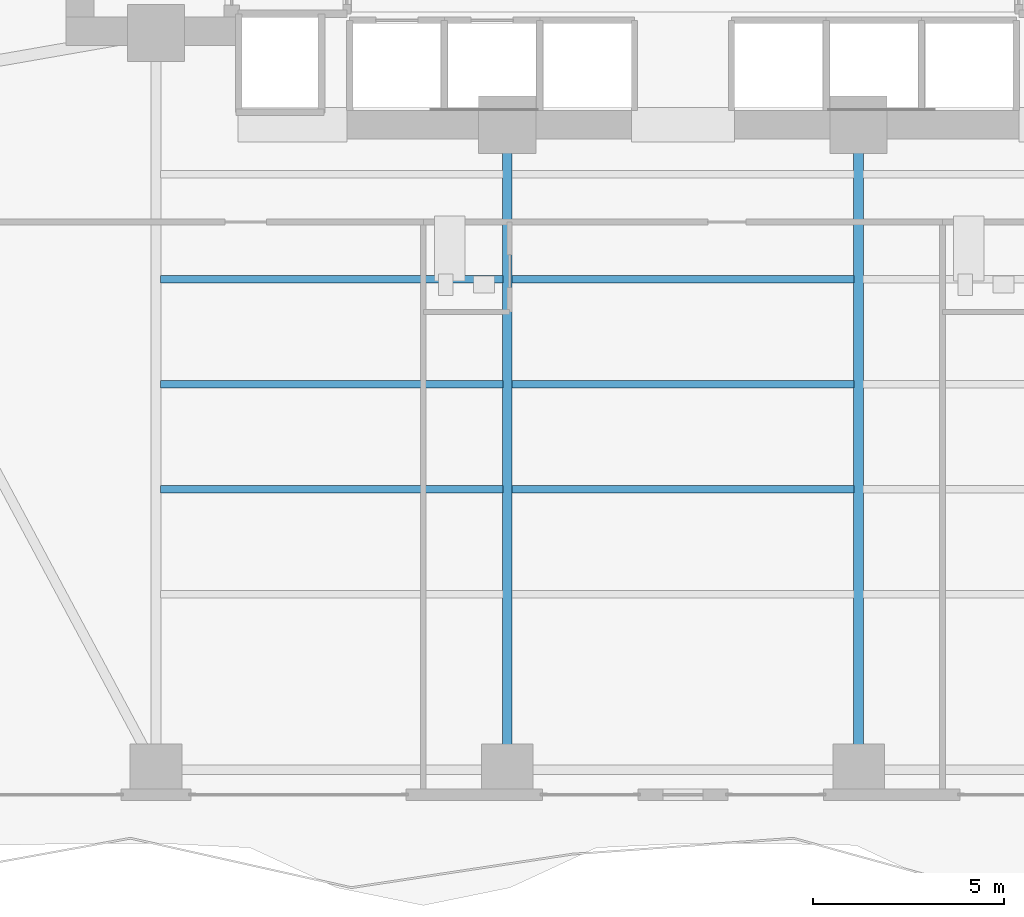
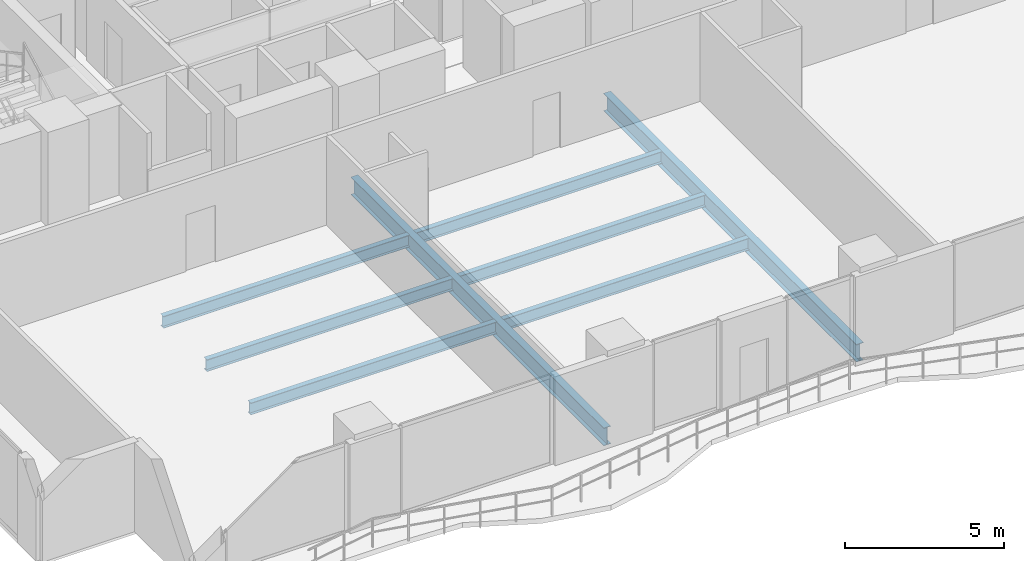
# One storey, part 6 of 28: 8 beams.
"""IFC4 building model written with IfcOpenShell, lengths in metres."""

from ifc_helpers import new_model, si_unit, direction, frame, origin, origin_2d, place, context, subcontext, project, spatial, i_section, extrude, material, material_profile, profile_set, type_object, element, save


model = new_model("IFC4")

# Units and contexts
model_context = context("Model", 3, precision=1e-05, world=origin(), true_north=direction((0.0, 1.0)))
body_context = subcontext(model_context, "Body", "Model", "MODEL_VIEW")
ifc_project = project(units=[si_unit("LENGTHUNIT", "METRE"), si_unit("AREAUNIT", "SQUARE_METRE"), si_unit("VOLUMEUNIT", "CUBIC_METRE"), si_unit("PLANEANGLEUNIT", "RADIAN"), si_unit("MASSUNIT", "GRAM", prefix="KILO")], contexts=[model_context])

# Site, building, storey
site_placement = place(None, origin())
site = spatial("IfcSite", under=ifc_project, at=site_placement, CompositionType="ELEMENT")
building_placement = place(site_placement, origin())
building = spatial("IfcBuilding", under=site, at=building_placement, Name="Zuhayl Quay Hotel", CompositionType="ELEMENT")
storey_placement = place(building_placement, frame((0.0, 0.0, 110.25)))
storey = spatial("IfcBuildingStorey", under=building, at=storey_placement, Name="L27", CompositionType="ELEMENT", Elevation=110.25)

# Beams
ifc_material = material(Name="Steel ASTM A992 Grade 50", Category="steel")
ifc_material_profile_1 = material_profile(ifc_material, i_section(OverallWidth=0.25390625, OverallDepth=0.68310546875, WebThickness=0.012451171875, FlangeThickness=0.018798828125, at=origin_2d()), Name="W27X94")
ifc_profile_set_1 = profile_set([ifc_material_profile_1], Name="Steel ASTM A992 Grade 50")
beam_type_1 = type_object("IfcBeamType", Name="BM_B2_W27X94", PredefinedType="BEAM", material=ifc_profile_set_1)
for number, where, z_axis, x_axis, name in (
    (1, (-4.60009765625, -14.25, -0.5615234375), (0.0, 1.0, 0.0), (-1.0, 0.0, 0.0), "L27 Floor Beam FG_S_L27_2"),
    (2, (4.60009765625, -14.25, -0.5615234375), (0.0, 1.0, 0.0), (-1.0, 0.0, 0.0), "L27 Floor Beam FG_S_L27_3"),
):
    element("IfcBeam", number, at=place(storey_placement, frame(where, z_axis=z_axis, x_axis=x_axis)), inside=storey, type_object=beam_type_1, Name=name, PredefinedType="BEAM", context=body_context, shape_type="SweptSolid", body=[
        extrude(i_section(OverallWidth=0.25390625, OverallDepth=0.68310546875, WebThickness=0.012451171875, FlangeThickness=0.018798828125, at=origin_2d()), origin(), (0.0, 0.0, 1.0), 15.949951171875),
    ])
ifc_material_profile_2 = material_profile(ifc_material, i_section(OverallWidth=0.18994140625, OverallDepth=0.45703125, WebThickness=0.009033203125, FlangeThickness=0.014404296875, at=origin_2d()), Name="W18X50")
ifc_profile_set_2 = profile_set([ifc_material_profile_2], Name="Steel ASTM A992 Grade 50")
beam_type_2 = type_object("IfcBeamType", Name="BM_J2_W18X50", PredefinedType="JOIST", material=ifc_profile_set_2)
for number, where, z_axis, x_axis, name in (
    (3, (-13.680908203125, -7.39990234375, -0.448486328125), (1.0, 0.0, 0.0), (0.0, 1.0, 0.0), "L27 Floor Beam FJ_L27_6_1"),
    (4, (-4.48095703125, -7.39990234375, -0.448486328125), (1.0, 0.0, 0.0), (0.0, 1.0, 0.0), "L27 Floor Beam FJ_L27_6_2"),
    (5, (-13.680908203125, -4.64990234375, -0.448486328125), (1.0, 0.0, 0.0), (0.0, 1.0, 0.0), "L27 Floor Beam FJ_L27_7_1"),
    (6, (-4.48095703125, -4.64990234375, -0.448486328125), (1.0, 0.0, 0.0), (0.0, 1.0, 0.0), "L27 Floor Beam FJ_L27_7_2"),
    (7, (-13.680908203125, -1.89990234375, -0.448486328125), (1.0, 0.0, 0.0), (0.0, 1.0, 0.0), "L27 Floor Beam FJ_L27_8_1"),
    (8, (-4.48095703125, -1.89990234375, -0.448486328125), (1.0, 0.0, 0.0), (0.0, 1.0, 0.0), "L27 Floor Beam FJ_L27_8_2"),
):
    element("IfcBeam", number, at=place(storey_placement, frame(where, z_axis=z_axis, x_axis=x_axis)), inside=storey, type_object=beam_type_2, Name=name, PredefinedType="JOIST", context=body_context, shape_type="SweptSolid", body=[
        extrude(i_section(OverallWidth=0.18994140625, OverallDepth=0.45703125, WebThickness=0.009033203125, FlangeThickness=0.014404296875, at=origin_2d()), origin(), (0.0, 0.0, 1.0), 8.9619140625),
    ])

save(model, "model.ifc")
